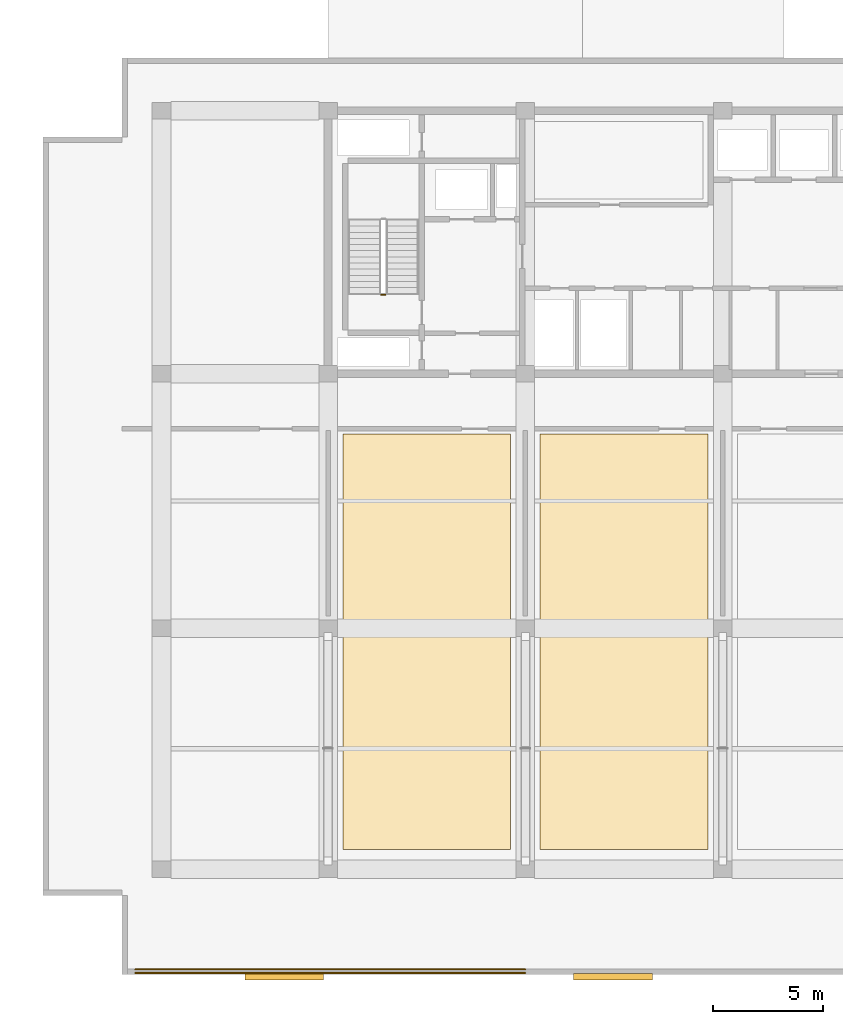
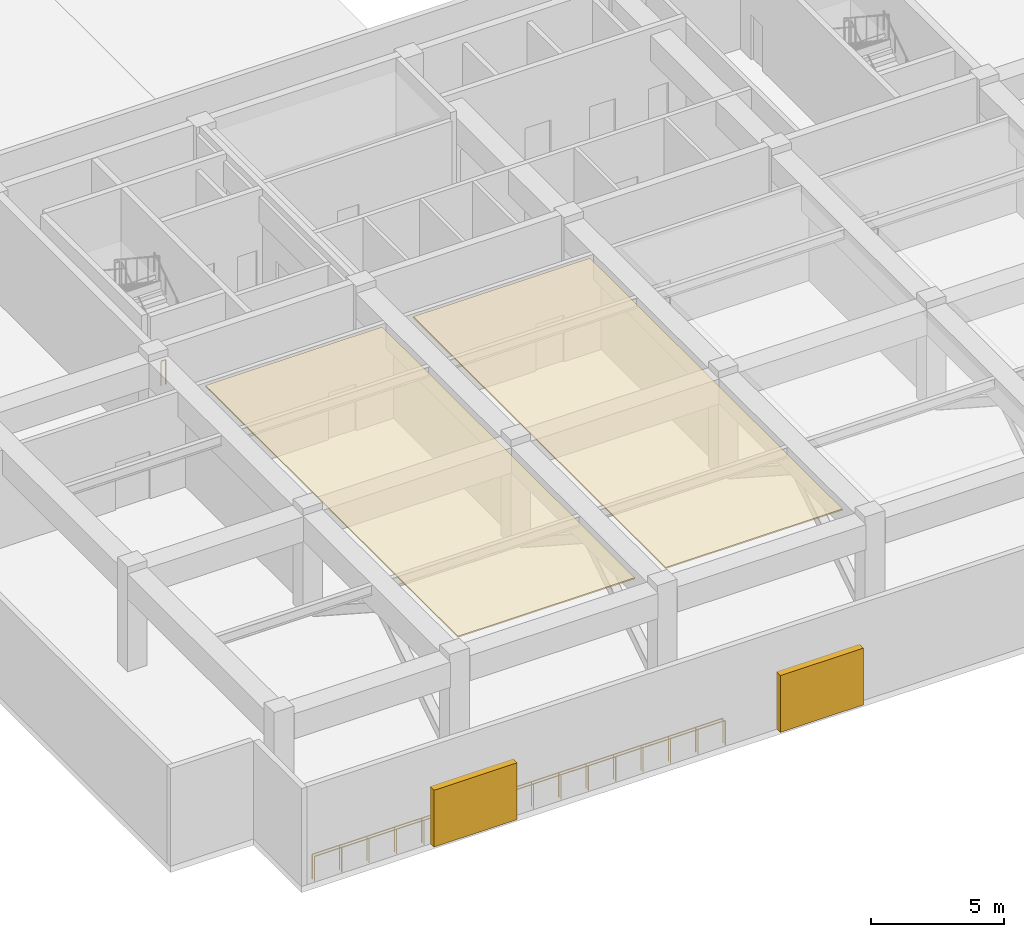
# One storey, part 15 of 22: 3 railings, 2 coverings, 2 shading devices.
"""IFC4 building model written with IfcOpenShell, lengths in metres."""

from ifc_helpers import new_model, si_unit, direction, frame, origin, origin_2d, place, context, subcontext, project, spatial, polyline, rectangle, circle, outline, extrude, material, layer, layer_set, type_object, element, save


model = new_model("IFC4")

# Units and contexts
model_context = context("Model", 3, precision=1e-05, world=origin(), true_north=direction((0.0, 1.0)))
body_context = subcontext(model_context, "Body", "Model", "MODEL_VIEW")
ifc_project = project(units=[si_unit("LENGTHUNIT", "METRE"), si_unit("AREAUNIT", "SQUARE_METRE"), si_unit("VOLUMEUNIT", "CUBIC_METRE"), si_unit("PLANEANGLEUNIT", "RADIAN"), si_unit("MASSUNIT", "GRAM", prefix="KILO")], contexts=[model_context])

# Site, building, storey
site_placement = place(None, origin())
site = spatial("IfcSite", under=ifc_project, at=site_placement, CompositionType="ELEMENT")
building_placement = place(site_placement, origin())
building = spatial("IfcBuilding", under=site, at=building_placement, Name="Korimba Cascade Residences", CompositionType="ELEMENT")
storey_placement = place(building_placement, frame((0.0, 0.0, 157.300048828125)))
storey = spatial("IfcBuildingStorey", under=building, at=storey_placement, Name="L45", CompositionType="ELEMENT", Elevation=157.300048828125)

# Coverings
ifc_material_1 = material(Name="Mineral Wool Thermal Acoustic Insulation", Category="insulation")
ifc_layer = layer(ifc_material_1, 0.06005859375)
ifc_layer_set = layer_set([ifc_layer], Name="Mineral Wool Thermal Acoustic Insulation")
covering_type = type_object("IfcCoveringType", Name="COV-INS-60", PredefinedType="INSULATION", material=ifc_layer_set)
covering_1_placement = place(storey_placement, frame((0.0, 0.0, 4.419921875)))
element("IfcCovering", 1, at=covering_1_placement, inside=storey, type_object=covering_type, Name="L45 Mineral Wool Acoustic Soffit Insulation L45-PL22", PredefinedType="INSULATION", context=body_context, shape_type="SweptSolid", body=[
    extrude(outline(polyline([(82.77001953125, -3.300048828125), (90.429931640625, -3.300048828125), (90.429931640625, 15.64990234375), (82.77001953125, 15.64990234375), (82.77001953125, -3.300048828125)])), origin(), (0.0, 0.0, 1.0), 0.06005859375),
])
covering_2_placement = place(storey_placement, frame((0.0, 0.0, 4.419921875)))
element("IfcCovering", 2, at=covering_2_placement, inside=storey, type_object=covering_type, Name="L45 Mineral Wool Acoustic Soffit Insulation L45-PL23", PredefinedType="INSULATION", context=body_context, shape_type="SweptSolid", body=[
    extrude(outline(polyline([(91.77001953125, -3.300048828125), (99.429931640625, -3.300048828125), (99.429931640625, 15.64990234375), (91.77001953125, 15.64990234375), (91.77001953125, -3.300048828125)])), origin(), (0.0, 0.0, 1.0), 0.06005859375),
])

# Railings
ifc_material_2 = material(Name="Painted Steel Stairwell Guardrail", Category="steel")
railing_type_1 = type_object("IfcRailingType", Name="RLG-ST-GD1150", PredefinedType="GUARDRAIL", material=ifc_material_2)
railing_1_placement = place(storey_placement, frame((84.719970703125, 22.0, 0.0)))
element("IfcRailing", 3, at=railing_1_placement, inside=storey, type_object=railing_type_1, Name="L45 ST-E1 stair guard 4", PredefinedType="GUARDRAIL", context=body_context, shape_type="SweptSolid", body=[
    extrude(circle(Radius=0.02392578125, at=origin_2d()), frame((0.0, 0.0, 1.1259765625), z_axis=(-1.0, 0.0, 0.0), x_axis=(0.0, -1.0, 0.0)), (0.0, 0.0, 1.0), 0.199951171875),
    extrude(circle(Radius=0.02099609375, at=origin_2d()), origin(), (0.0, 0.0, 1.0), 1.101806640625),
    extrude(circle(Radius=0.02099609375, at=origin_2d()), frame((-0.199951171875, 0.0, 0.0)), (0.0, 0.0, 1.0), 1.101806640625),
])
ifc_material_3 = material(Name="Painted Galvanised Steel Terrace Guardrail", Category="steel")
railing_type_2 = type_object("IfcRailingType", Name="RLG-TER-1150", PredefinedType="GUARDRAIL", material=ifc_material_3)
railing_2_placement = place(storey_placement, frame((73.300048828125, -8.77001953125, 0.0)))
element("IfcRailing", 4, at=railing_2_placement, inside=storey, type_object=railing_type_2, Name="L45 Perimeter Guardrail RLG-L45-T2-REF-01", PredefinedType="GUARDRAIL", context=body_context, shape_type="SweptSolid", body=[
    extrude(circle(Radius=0.02392578125, at=origin_2d()), frame((0.0, 0.0, 1.1259765625), z_axis=(1.0, 0.0, 0.0), x_axis=(0.0, 1.0, 0.0)), (0.0, 0.0, 1.0), 17.800048828125),
    extrude(circle(Radius=0.02099609375, at=origin_2d()), origin(), (0.0, 0.0, 1.0), 1.101806640625),
    extrude(circle(Radius=0.02099609375, at=origin_2d()), frame((1.186767578125, 0.0, 0.0)), (0.0, 0.0, 1.0), 1.101806640625),
    extrude(circle(Radius=0.02099609375, at=origin_2d()), frame((2.373291015625, 0.0, 0.0)), (0.0, 0.0, 1.0), 1.101806640625),
    extrude(circle(Radius=0.02099609375, at=origin_2d()), frame((3.56005859375, 0.0, 0.0)), (0.0, 0.0, 1.0), 1.101806640625),
    extrude(circle(Radius=0.02099609375, at=origin_2d()), frame((4.74658203125, 0.0, 0.0)), (0.0, 0.0, 1.0), 1.101806640625),
    extrude(circle(Radius=0.02099609375, at=origin_2d()), frame((5.933349609375, 0.0, 0.0)), (0.0, 0.0, 1.0), 1.101806640625),
    extrude(circle(Radius=0.02099609375, at=origin_2d()), frame((7.1201171875, 0.0, 0.0)), (0.0, 0.0, 1.0), 1.101806640625),
    extrude(circle(Radius=0.02099609375, at=origin_2d()), frame((8.306640625, 0.0, 0.0)), (0.0, 0.0, 1.0), 1.101806640625),
    extrude(circle(Radius=0.02099609375, at=origin_2d()), frame((9.493408203125, 0.0, 0.0)), (0.0, 0.0, 1.0), 1.101806640625),
    extrude(circle(Radius=0.02099609375, at=origin_2d()), frame((10.679931640625, 0.0, 0.0)), (0.0, 0.0, 1.0), 1.101806640625),
    extrude(circle(Radius=0.02099609375, at=origin_2d()), frame((11.86669921875, 0.0, 0.0)), (0.0, 0.0, 1.0), 1.101806640625),
    extrude(circle(Radius=0.02099609375, at=origin_2d()), frame((13.053466796875, 0.0, 0.0)), (0.0, 0.0, 1.0), 1.101806640625),
    extrude(circle(Radius=0.02099609375, at=origin_2d()), frame((14.239990234375, 0.0, 0.0)), (0.0, 0.0, 1.0), 1.101806640625),
    extrude(circle(Radius=0.02099609375, at=origin_2d()), frame((15.4267578125, 0.0, 0.0)), (0.0, 0.0, 1.0), 1.101806640625),
    extrude(circle(Radius=0.02099609375, at=origin_2d()), frame((16.61328125, 0.0, 0.0)), (0.0, 0.0, 1.0), 1.101806640625),
    extrude(circle(Radius=0.02099609375, at=origin_2d()), frame((17.800048828125, 0.0, 0.0)), (0.0, 0.0, 1.0), 1.101806640625),
])
railing_3_placement = place(storey_placement, frame((91.10009765625, -8.929931640625, 0.0)))
element("IfcRailing", 5, at=railing_3_placement, inside=storey, type_object=railing_type_2, Name="L45 Perimeter Guardrail RLG-L45-T2-REF-02", PredefinedType="GUARDRAIL", context=body_context, shape_type="SweptSolid", body=[
    extrude(circle(Radius=0.02392578125, at=origin_2d()), frame((0.0, 0.0, 1.1259765625), z_axis=(-1.0, 0.0, 0.0), x_axis=(0.0, -1.0, 0.0)), (0.0, 0.0, 1.0), 17.800048828125),
    extrude(circle(Radius=0.02099609375, at=origin_2d()), origin(), (0.0, 0.0, 1.0), 1.101806640625),
    extrude(circle(Radius=0.02099609375, at=origin_2d()), frame((-1.186767578125, 0.0, 0.0)), (0.0, 0.0, 1.0), 1.101806640625),
    extrude(circle(Radius=0.02099609375, at=origin_2d()), frame((-2.373291015625, 0.0, 0.0)), (0.0, 0.0, 1.0), 1.101806640625),
    extrude(circle(Radius=0.02099609375, at=origin_2d()), frame((-3.56005859375, 0.0, 0.0)), (0.0, 0.0, 1.0), 1.101806640625),
    extrude(circle(Radius=0.02099609375, at=origin_2d()), frame((-4.74658203125, 0.0, 0.0)), (0.0, 0.0, 1.0), 1.101806640625),
    extrude(circle(Radius=0.02099609375, at=origin_2d()), frame((-5.933349609375, 0.0, 0.0)), (0.0, 0.0, 1.0), 1.101806640625),
    extrude(circle(Radius=0.02099609375, at=origin_2d()), frame((-7.1201171875, 0.0, 0.0)), (0.0, 0.0, 1.0), 1.101806640625),
    extrude(circle(Radius=0.02099609375, at=origin_2d()), frame((-8.306640625, 0.0, 0.0)), (0.0, 0.0, 1.0), 1.101806640625),
    extrude(circle(Radius=0.02099609375, at=origin_2d()), frame((-9.493408203125, 0.0, 0.0)), (0.0, 0.0, 1.0), 1.101806640625),
    extrude(circle(Radius=0.02099609375, at=origin_2d()), frame((-10.679931640625, 0.0, 0.0)), (0.0, 0.0, 1.0), 1.101806640625),
    extrude(circle(Radius=0.02099609375, at=origin_2d()), frame((-11.86669921875, 0.0, 0.0)), (0.0, 0.0, 1.0), 1.101806640625),
    extrude(circle(Radius=0.02099609375, at=origin_2d()), frame((-13.053466796875, 0.0, 0.0)), (0.0, 0.0, 1.0), 1.101806640625),
    extrude(circle(Radius=0.02099609375, at=origin_2d()), frame((-14.239990234375, 0.0, 0.0)), (0.0, 0.0, 1.0), 1.101806640625),
    extrude(circle(Radius=0.02099609375, at=origin_2d()), frame((-15.4267578125, 0.0, 0.0)), (0.0, 0.0, 1.0), 1.101806640625),
    extrude(circle(Radius=0.02099609375, at=origin_2d()), frame((-16.61328125, 0.0, 0.0)), (0.0, 0.0, 1.0), 1.101806640625),
    extrude(circle(Radius=0.02099609375, at=origin_2d()), frame((-17.800048828125, 0.0, 0.0)), (0.0, 0.0, 1.0), 1.101806640625),
])

# Shading devices
ifc_material_4 = material(Name="Powder-Coated Bronze Acoustic Louvre Bank", Category="aluminium")
shading_device_type = type_object("IfcShadingDeviceType", Name="SHD-LVR-300", PredefinedType="USERDEFINED", material=ifc_material_4)
for number, where, z_axis, x_axis, name in (
    (6, (80.10009765625, -9.10009765625, 0.0), (0.0, 0.0, 1.0), (1.0, 0.0, 0.0), "L45 T2 Plant Acoustic Louvre 1"),
    (7, (95.10009765625, -9.10009765625, 0.0), (0.0, 0.0, 1.0), (1.0, 0.0, 0.0), "L45 T2 Plant Acoustic Louvre 2"),
):
    element("IfcShadingDevice", number, at=place(storey_placement, frame(where, z_axis=z_axis, x_axis=x_axis)), inside=storey, type_object=shading_device_type, Name=name, ObjectType="LOUVRE", PredefinedType="USERDEFINED", context=body_context, shape_type="SweptSolid", body=[
        extrude(rectangle(XDim=3.60009765625, YDim=0.300048828125, at=origin_2d()), origin(), (0.0, 0.0, 1.0), 2.60009765625),
    ])

save(model, "model.ifc")
